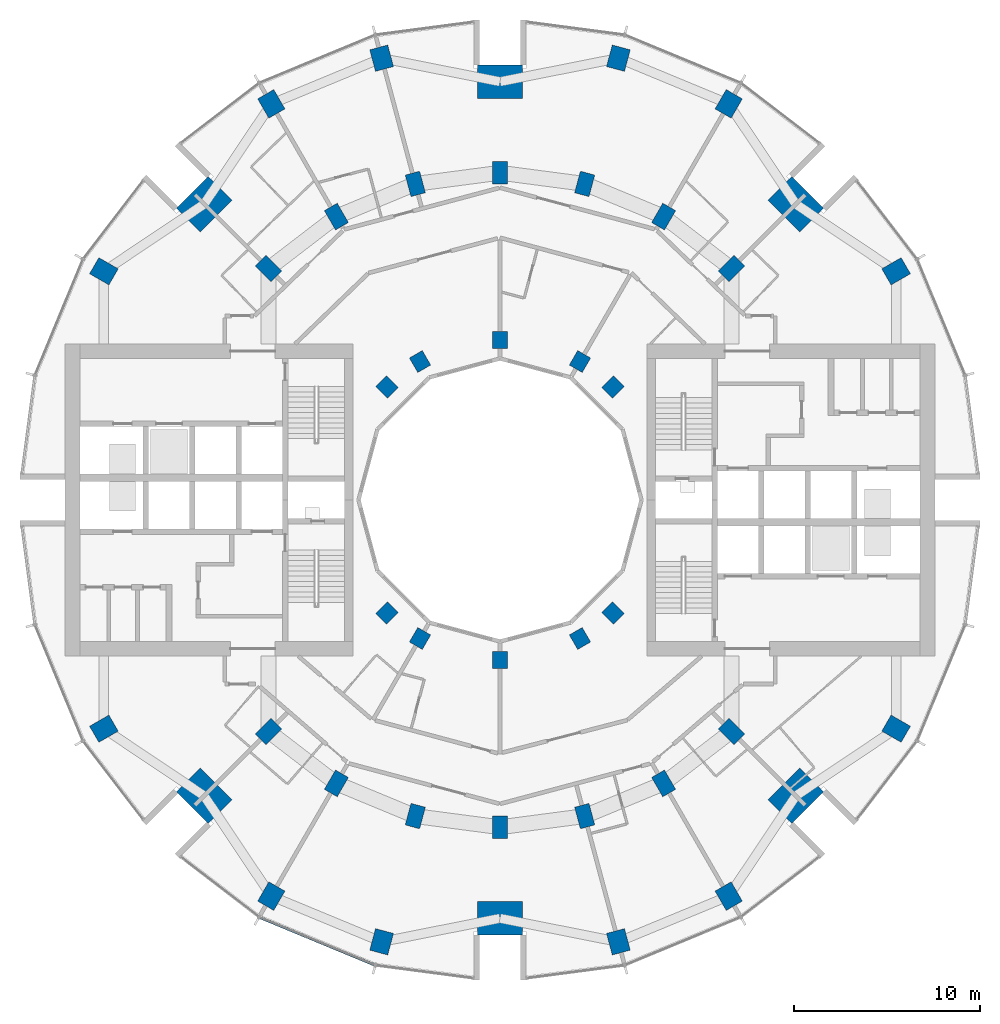
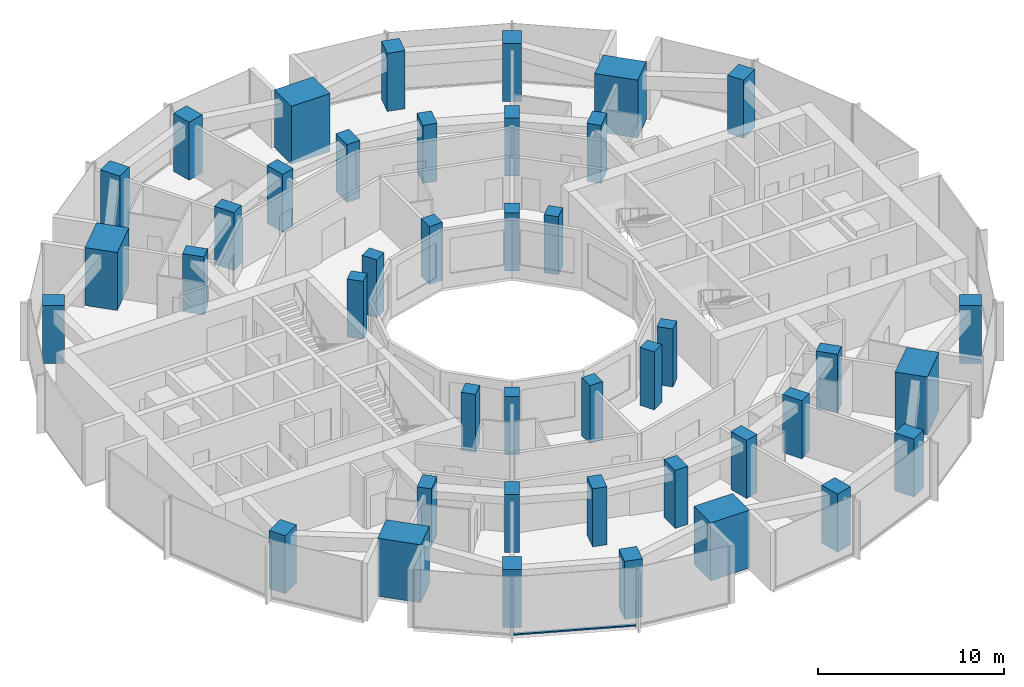
# One storey, part 1 of 15: 42 columns, 1 member, 1 element without a shape of its own.
"""IFC4 building model written with IfcOpenShell, lengths in metres."""

from ifc_helpers import new_model, si_unit, direction, frame, origin, origin_2d, place, context, subcontext, project, spatial, rectangle, extrude, material, layer, layer_set, material_profile, profile_set, type_object, element, aggregate, save


model = new_model("IFC4")

# Units and contexts
model_context = context("Model", 3, precision=1e-05, world=origin(), true_north=direction((0.0, 1.0)))
body_context = subcontext(model_context, "Body", "Model", "MODEL_VIEW")
ifc_project = project(units=[si_unit("LENGTHUNIT", "METRE"), si_unit("AREAUNIT", "SQUARE_METRE"), si_unit("VOLUMEUNIT", "CUBIC_METRE"), si_unit("PLANEANGLEUNIT", "RADIAN"), si_unit("MASSUNIT", "GRAM", prefix="KILO")], contexts=[model_context])

# Site, building, storey
site_placement = place(None, origin())
site = spatial("IfcSite", under=ifc_project, at=site_placement, CompositionType="ELEMENT")
building_placement = place(site_placement, origin())
building = spatial("IfcBuilding", under=site, at=building_placement, Name="Torre Brocal", CompositionType="ELEMENT")
storey_placement = place(building_placement, frame((0.0, 0.0, 97.60009765625)))
storey = spatial("IfcBuildingStorey", under=building, at=storey_placement, Name="L22", CompositionType="ELEMENT", Elevation=97.60009765625)

# Columns
ifc_material_1 = material(Name="Concrete C80", Category="concrete")
ifc_material_profile_1 = material_profile(ifc_material_1, rectangle(XDim=1.199951171875, YDim=1.0, at=origin_2d()), Name="RC 1200X1000")
ifc_profile_set_1 = profile_set([ifc_material_profile_1], Name="Concrete C80")
column_type_1 = type_object("IfcColumnType", Name="RC COLUMN 1200X1000 C80", PredefinedType="COLUMN", material=ifc_profile_set_1)
for number, where, z_axis, x_axis, name in (
    (1, (101.30419921875, 87.300048828125, 0.0), (0.0, 0.0, 1.0), (0.866025403784, 0.5, 0.0), "Column C-O02"),
    (2, (92.300048828125, 96.30419921875, 0.0), (0.0, 0.0, 1.0), (0.5, 0.866025403784, 0.0), "Column C-O04"),
    (3, (86.366943359375, 98.76171875, 0.0), (0.0, 0.0, 1.0), (0.258819045103, 0.965925826289, 0.0), "Column C-O05"),
    (4, (73.633056640625, 98.76171875, 0.0), (0.0, 0.0, 1.0), (-0.258819045103, 0.965925826289, 0.0), "Column C-O07"),
    (5, (67.699951171875, 96.30419921875, 0.0), (0.0, 0.0, 1.0), (-0.5, 0.866025403784, 0.0), "Column C-O08"),
    (6, (58.69580078125, 87.300048828125, 0.0), (0.0, 0.0, 1.0), (-0.866025403784, 0.5, 0.0), "Column C-O10"),
    (7, (58.69580078125, 62.699951171875, 0.0), (0.0, 0.0, 1.0), (-0.866025403784, -0.5, 0.0), "Column C-O14"),
    (8, (67.699951171875, 53.69580078125, 0.0), (0.0, 0.0, 1.0), (-0.5, -0.866025403784, 0.0), "Column C-O16"),
    (9, (73.633056640625, 51.23828125, 0.0), (0.0, 0.0, 1.0), (-0.258819045103, -0.965925826289, 0.0), "Column C-O17"),
    (10, (86.366943359375, 51.23828125, 0.0), (0.0, 0.0, 1.0), (0.258819045103, -0.965925826289, 0.0), "Column C-O19"),
    (11, (92.300048828125, 53.69580078125, 0.0), (0.0, 0.0, 1.0), (0.5, -0.866025403784, 0.0), "Column C-O20"),
    (12, (101.30419921875, 62.699951171875, 0.0), (0.0, 0.0, 1.0), (0.866025403784, -0.5, 0.0), "Column C-O22"),
):
    element("IfcColumn", number, at=place(storey_placement, frame(where, z_axis=z_axis, x_axis=x_axis)), inside=storey, type_object=column_type_1, Name=name, PredefinedType="COLUMN", context=body_context, shape_type="SweptSolid", body=[
        extrude(rectangle(XDim=1.199951171875, YDim=1.0, at=origin_2d()), origin(), (0.0, 0.0, 1.0), 3.7998046875),
    ])
ifc_material_2 = material(Name="Concrete C80", Category="concrete")
ifc_material_profile_2 = material_profile(ifc_material_2, rectangle(XDim=1.199951171875, YDim=0.800048828125, at=origin_2d()), Name="RC 1200X800")
ifc_profile_set_2 = profile_set([ifc_material_profile_2], Name="Concrete C80")
column_type_2 = type_object("IfcColumnType", Name="RC COLUMN 1200X800 C80", PredefinedType="COLUMN", material=ifc_profile_set_2)
for number, where, z_axis, x_axis, name in (
    (13, (92.445068359375, 87.445068359375, 0.0), (0.0, 0.0, 1.0), (0.707106781187, 0.707106781187, 0.0), "Column C-M03"),
    (14, (88.800048828125, 90.241943359375, 0.0), (0.0, 0.0, 1.0), (0.5, 0.866025403784, 0.0), "Column C-M04"),
    (15, (84.55517578125, 92.000244140625, 0.0), (0.0, 0.0, 1.0), (0.258819045103, 0.965925826289, 0.0), "Column C-M05"),
    (16, (80.0, 92.60009765625, 0.0), (0.0, 0.0, 1.0), (0.0, 1.0, 0.0), "Column C-M06"),
    (17, (75.44482421875, 92.000244140625, 0.0), (0.0, 0.0, 1.0), (-0.258819045103, 0.965925826289, 0.0), "Column C-M07"),
    (18, (71.199951171875, 90.241943359375, 0.0), (0.0, 0.0, 1.0), (-0.5, 0.866025403784, 0.0), "Column C-M08"),
    (19, (67.554931640625, 87.445068359375, 0.0), (0.0, 0.0, 1.0), (-0.707106781187, 0.707106781187, 0.0), "Column C-M09"),
    (20, (67.554931640625, 62.554931640625, 0.0), (0.0, 0.0, 1.0), (-0.707106781187, -0.707106781187, 0.0), "Column C-M15"),
    (21, (71.199951171875, 59.758056640625, 0.0), (0.0, 0.0, 1.0), (-0.5, -0.866025403784, 0.0), "Column C-M16"),
    (22, (75.44482421875, 57.999755859375, 0.0), (0.0, 0.0, 1.0), (-0.258819045103, -0.965925826289, 0.0), "Column C-M17"),
    (23, (80.0, 57.39990234375, 0.0), (0.0, 0.0, 1.0), (0.0, -1.0, 0.0), "Column C-M18"),
    (24, (84.55517578125, 57.999755859375, 0.0), (0.0, 0.0, 1.0), (0.258819045103, -0.965925826289, 0.0), "Column C-M19"),
    (25, (88.800048828125, 59.758056640625, 0.0), (0.0, 0.0, 1.0), (0.5, -0.866025403784, 0.0), "Column C-M20"),
    (26, (92.445068359375, 62.554931640625, 0.0), (0.0, 0.0, 1.0), (0.707106781187, -0.707106781187, 0.0), "Column C-M21"),
):
    element("IfcColumn", number, at=place(storey_placement, frame(where, z_axis=z_axis, x_axis=x_axis)), inside=storey, type_object=column_type_2, Name=name, PredefinedType="COLUMN", context=body_context, shape_type="SweptSolid", body=[
        extrude(rectangle(XDim=1.199951171875, YDim=0.800048828125, at=origin_2d()), origin(), (0.0, 0.0, 1.0), 3.7998046875),
    ])
ifc_material_3 = material(Name="Concrete C80", Category="concrete")
ifc_material_profile_3 = material_profile(ifc_material_3, rectangle(XDim=1.800048828125, YDim=2.39990234375, at=origin_2d()), Name="RC 1800X2400")
ifc_profile_set_3 = profile_set([ifc_material_profile_3], Name="Concrete C80")
column_type_3 = type_object("IfcColumnType", Name="RC COLUMN 1800X2400 C80", PredefinedType="COLUMN", material=ifc_profile_set_3)
for number, where, z_axis, x_axis, name in (
    (27, (95.909912109375, 90.909912109375, 0.0), (0.0, 0.0, 1.0), (0.707106781187, 0.707106781187, 0.0), "Column MC-1"),
    (28, (80.0, 97.5, 0.0), (0.0, 0.0, 1.0), (0.0, 1.0, 0.0), "Column MC-2"),
    (29, (64.090087890625, 90.909912109375, 0.0), (0.0, 0.0, 1.0), (-0.707106781187, 0.707106781187, 0.0), "Column MC-3"),
    (30, (64.090087890625, 59.090087890625, 0.0), (0.0, 0.0, 1.0), (-0.707106781187, -0.707106781187, 0.0), "Column MC-5"),
    (31, (80.0, 52.5, 0.0), (0.0, 0.0, 1.0), (0.0, -1.0, 0.0), "Column MC-6"),
    (32, (95.909912109375, 59.090087890625, 0.0), (0.0, 0.0, 1.0), (0.707106781187, -0.707106781187, 0.0), "Column MC-7"),
):
    element("IfcColumn", number, at=place(storey_placement, frame(where, z_axis=z_axis, x_axis=x_axis)), inside=storey, type_object=column_type_3, Name=name, PredefinedType="COLUMN", context=body_context, shape_type="SweptSolid", body=[
        extrude(rectangle(XDim=1.800048828125, YDim=2.39990234375, at=origin_2d()), origin(), (0.0, 0.0, 1.0), 3.7998046875),
    ])
ifc_material_4 = material(Name="Concrete C80", Category="concrete")
ifc_material_profile_4 = material_profile(ifc_material_4, rectangle(XDim=0.89990234375, YDim=0.800048828125, at=origin_2d()), Name="RC 900X800")
ifc_profile_set_4 = profile_set([ifc_material_profile_4], Name="Concrete C80")
column_type_4 = type_object("IfcColumnType", Name="RC COLUMN 900X800 C80", PredefinedType="COLUMN", material=ifc_profile_set_4)
for number, where, z_axis, x_axis, name in (
    (33, (86.0810546875, 81.0810546875, 0.0), (0.0, 0.0, 1.0), (0.707106781187, 0.707106781187, 0.0), "Column C-I03"),
    (34, (84.300048828125, 82.44775390625, 0.0), (0.0, 0.0, 1.0), (0.5, 0.866025403784, 0.0), "Column C-I04"),
    (35, (80.0, 83.60009765625, 0.0), (0.0, 0.0, 1.0), (0.0, 1.0, 0.0), "Column C-I06"),
    (36, (75.699951171875, 82.44775390625, 0.0), (0.0, 0.0, 1.0), (-0.5, 0.866025403784, 0.0), "Column C-I08"),
    (37, (73.9189453125, 81.0810546875, 0.0), (0.0, 0.0, 1.0), (-0.707106781187, 0.707106781187, 0.0), "Column C-I09"),
    (38, (73.9189453125, 68.9189453125, 0.0), (0.0, 0.0, 1.0), (-0.707106781187, -0.707106781187, 0.0), "Column C-I15"),
    (39, (75.699951171875, 67.55224609375, 0.0), (0.0, 0.0, 1.0), (-0.5, -0.866025403784, 0.0), "Column C-I16"),
    (40, (80.0, 66.39990234375, 0.0), (0.0, 0.0, 1.0), (0.0, -1.0, 0.0), "Column C-I18"),
    (41, (84.300048828125, 67.55224609375, 0.0), (0.0, 0.0, 1.0), (0.5, -0.866025403784, 0.0), "Column C-I20"),
    (42, (86.0810546875, 68.9189453125, 0.0), (0.0, 0.0, 1.0), (0.707106781187, -0.707106781187, 0.0), "Column C-I21"),
):
    element("IfcColumn", number, at=place(storey_placement, frame(where, z_axis=z_axis, x_axis=x_axis)), inside=storey, type_object=column_type_4, Name=name, PredefinedType="COLUMN", context=body_context, shape_type="SweptSolid", body=[
        extrude(rectangle(XDim=0.89990234375, YDim=0.800048828125, at=origin_2d()), origin(), (0.0, 0.0, 1.0), 3.7998046875),
    ])

# Curtain wall, member
ifc_material_5 = material(Name="Aluminium and glass", Category="aluminium")
ifc_layer = layer(ifc_material_5, 0.199951171875)
ifc_layer_set = layer_set([ifc_layer], Name="Aluminium and glass")
curtain_wall_type = type_object("IfcCurtainWallType", Name="CW-1 CURTAIN WALL 3800 HIGH", PredefinedType="NOTDEFINED", material=ifc_layer_set)
curtain_wall_placement = place(storey_placement, origin())
curtain_wall = element("IfcCurtainWall", 43, at=curtain_wall_placement, inside=storey, type_object=curtain_wall_type, Name="CW-1 RUN 17", PredefinedType="NOTDEFINED")
ifc_material_6 = material(Name="Aluminium, dark anodised", Category="aluminium")
ifc_material_profile_5 = material_profile(ifc_material_6, rectangle(XDim=0.159912109375, YDim=0.080078125, at=origin_2d()), Name="CW-1 TRANSOM 160X80")
ifc_profile_set_5 = profile_set([ifc_material_profile_5], Name="Aluminium, dark anodised")
member_type = type_object("IfcMemberType", Name="CW-1 TRANSOM 160X80", PredefinedType="USERDEFINED", material=ifc_profile_set_5)
member_placement = place(storey_placement, frame((67.10595703125, 52.547607421875, 0.039794921875), z_axis=(0.923887344364, -0.38266457234, 0.0), x_axis=(0.38266457234, 0.923887344364, 0.0)))
member = element("IfcMember", 44, at=member_placement, type_object=member_type, Name="CW1-1 transom 1.1", ObjectType="TRANSOM", PredefinedType="USERDEFINED", context=body_context, shape_type="SweptSolid", body=[
    extrude(rectangle(XDim=0.159912109375, YDim=0.080078125, at=origin_2d()), origin(), (0.0, 0.0, 1.0), 6.640869140625),
])
aggregate(curtain_wall, [member])

save(model, "model.ifc")
